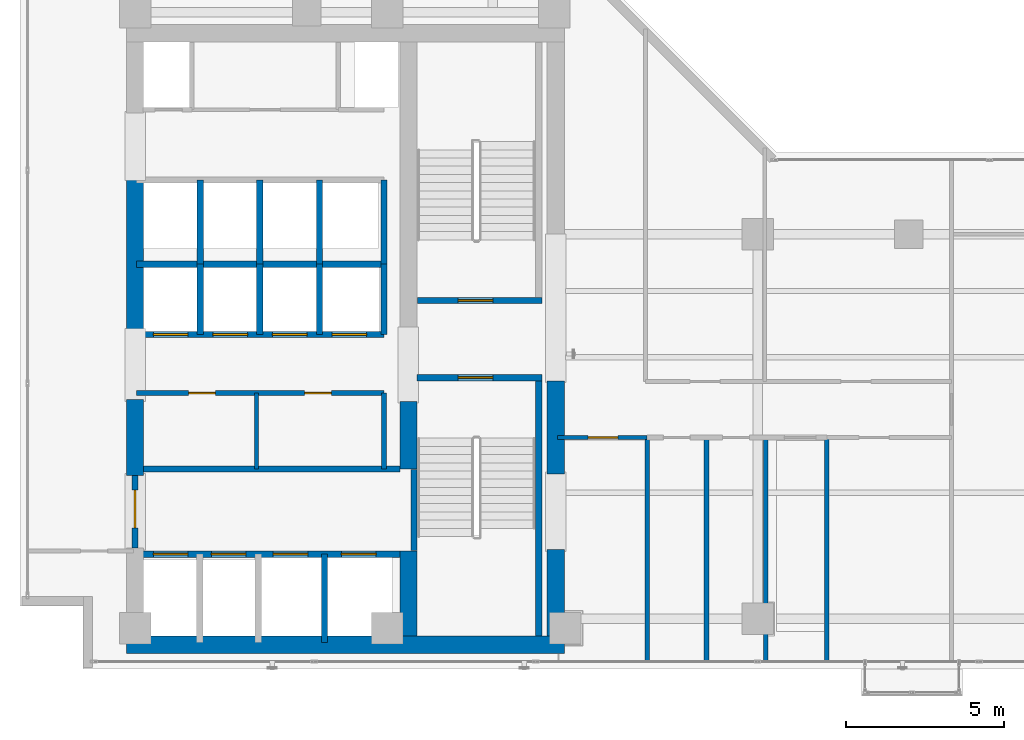
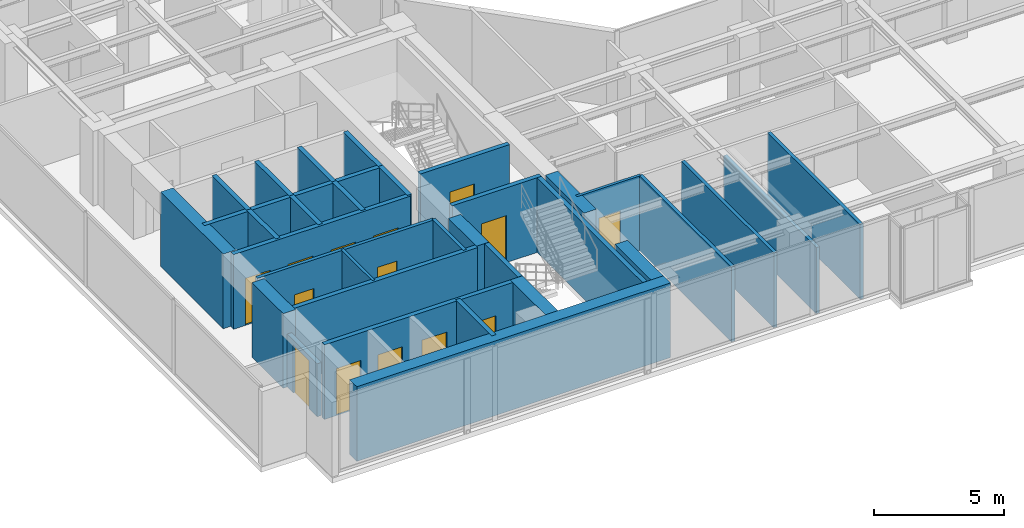
# One storey, part 17 of 22: 33 walls, 14 doors, 14 openings.
"""IFC4 building model written with IfcOpenShell, lengths in metres."""

import ifcopenshell
import ifcopenshell.guid

model = None  # the IFC model being written
_history = None  # IfcOwnerHistory: only IFC2X3 demands one
_inside = {}  # id of a spatial element -> (the spatial element, [elements in it])
_under = {}  # id of a project, library or spatial element -> (it, [spatial elements below it])
_declared = {}  # id of a project -> (the project, [libraries it declares])
_typed = {}  # id of a type object -> (the type object, [elements of that type])
_made_of = {}  # id of a material, layer set ... -> (it, [elements and type objects made of it])


def new_model(schema):
    """Start an empty IFC model of exactly this schema.

    Asked for "IFC4X3", IfcOpenShell would pick the latest addendum, in which some entities
    have other attributes; the version numbers below select the first issue.
    IFC2X3 requires an IfcOwnerHistory on every rooted entity: one is made here for all.
    """
    global model, _history
    if schema == "IFC4X3":
        model = ifcopenshell.file(schema_version=(4, 3, 0, 0))
    else:
        model = ifcopenshell.file(schema=schema)
    _inside.clear()
    _under.clear()
    _declared.clear()
    _typed.clear()
    _made_of.clear()
    _history = None
    if model.schema == "IFC2X3":
        org = make("IfcOrganization", Name="unknown")
        user = make(
            "IfcPersonAndOrganization",
            ThePerson=make("IfcPerson", FamilyName="unknown"),
            TheOrganization=org,
        )
        app = make(
            "IfcApplication",
            ApplicationDeveloper=org,
            Version="unknown",
            ApplicationFullName="unknown",
            ApplicationIdentifier="unknown",
        )
        _history = make(
            "IfcOwnerHistory",
            OwningUser=user,
            OwningApplication=app,
            ChangeAction="ADDED",
            CreationDate=0,
        )
    return model


def make(cls, **values):
    """One entity of the class cls with the attributes given. An attribute that is None is left unset."""
    return model.create_entity(
        cls, **{name: value for name, value in values.items() if value is not None}
    )


def rooted(cls, **values):
    """An entity with a GlobalId (a new one), such as an element, a storey or a relation."""
    return make(cls, GlobalId=ifcopenshell.guid.new(), OwnerHistory=_history, **values)


def si_unit(unit_type, name, prefix=None):
    """IfcSIUnit, for example si_unit("LENGTHUNIT", "METRE", prefix="MILLI")."""
    return make("IfcSIUnit", UnitType=unit_type, Prefix=prefix, Name=name)


def assignment(units):
    """IfcUnitAssignment: the units of a project."""
    return None if units is None else make("IfcUnitAssignment", Units=units)


def point(xyz):
    """IfcCartesianPoint."""
    return None if xyz is None else make("IfcCartesianPoint", Coordinates=xyz)


def direction(xyz):
    """IfcDirection."""
    return None if xyz is None else make("IfcDirection", DirectionRatios=xyz)


def frame(location, z_axis=None, x_axis=None):
    """IfcAxis2Placement3D, a coordinate frame: its origin and axes. An axis left out is left unset."""
    return make(
        "IfcAxis2Placement3D",
        Location=point(location),
        Axis=direction(z_axis),
        RefDirection=direction(x_axis),
    )


def frame_2d(location, x_axis=None):
    """IfcAxis2Placement2D, a coordinate frame in the plane: its origin and x axis."""
    return make(
        "IfcAxis2Placement2D", Location=point(location), RefDirection=direction(x_axis)
    )


def origin():
    """The frame at (0, 0, 0) with its axes left unset."""
    return frame((0.0, 0.0, 0.0))


def place(relative_to, where):
    """IfcLocalPlacement: puts the frame where relative to a parent placement (None: the world)."""
    return make(
        "IfcLocalPlacement", PlacementRelTo=relative_to, RelativePlacement=where
    )


def context(
    kind, dimensions, precision=None, world=None, true_north=None, identifier=None
):
    """IfcGeometricRepresentationContext, for example the 3D "Model" context."""
    return make(
        "IfcGeometricRepresentationContext",
        ContextIdentifier=identifier,
        ContextType=kind,
        CoordinateSpaceDimension=dimensions,
        Precision=precision,
        WorldCoordinateSystem=world,
        TrueNorth=true_north,
    )


def subcontext(parent, identifier, kind, view, scale=None):
    """IfcGeometricRepresentationSubContext, for example "Body" below "Model"."""
    return make(
        "IfcGeometricRepresentationSubContext",
        ContextIdentifier=identifier,
        ContextType=kind,
        ParentContext=parent,
        TargetScale=scale,
        TargetView=view,
    )


def project(units=None, contexts=None):
    """IfcProject with its units and contexts."""
    return rooted(
        "IfcProject",
        Name="project",
        RepresentationContexts=contexts,
        UnitsInContext=assignment(units),
    )


def spatial(cls, under=None, at=None, **own):
    """A site, building, storey or space (cls), placed at a placement, below another one or the project."""
    s = rooted(cls, ObjectPlacement=at, **own)
    if under is not None:
        _under.setdefault(under.id(), (under, []))[1].append(s)
    return s


def profile(cls, at=None, kind="AREA", **sizes):
    """A parametric profile (cls). Its sizes go by their IFC names, for example OverallWidth=200.0."""
    return make(cls, ProfileType=kind, Position=at, **sizes)


def rectangle(**sizes):
    """IfcRectangleProfileDef."""
    return profile("IfcRectangleProfileDef", **sizes)


def extrude(swept, where, along, depth):
    """IfcExtrudedAreaSolid: the profile swept, set in the frame where, extruded along a direction by depth."""
    return make(
        "IfcExtrudedAreaSolid",
        SweptArea=swept,
        Position=where,
        ExtrudedDirection=direction(along),
        Depth=depth,
    )


def shape(context_of_items, identifier, shape_type, items):
    """IfcShapeRepresentation: the items that make up one representation, for example the "Body"."""
    return make(
        "IfcShapeRepresentation",
        ContextOfItems=context_of_items,
        RepresentationIdentifier=identifier,
        RepresentationType=shape_type,
        Items=items,
    )


def material(Name=None, Category=None):
    """IfcMaterial."""
    return make("IfcMaterial", Name=Name, Category=Category)


def layer(
    of_material, thickness, ventilated=None, Name=None, Category=None, Priority=None
):
    """IfcMaterialLayer: one layer of a wall or slab, of a material (None: an air gap)."""
    return make(
        "IfcMaterialLayer",
        Material=of_material,
        LayerThickness=thickness,
        IsVentilated=ventilated,
        Name=Name,
        Category=Category,
        Priority=Priority,
    )


def layer_set(layers, Name=None):
    """IfcMaterialLayerSet."""
    return make("IfcMaterialLayerSet", MaterialLayers=layers, LayerSetName=Name)


def made_of(thing, what):
    """Note that an element or type object is made of a material, layer set ...; save() writes the relation."""
    if what is not None:
        _made_of.setdefault(what.id(), (what, []))[1].append(thing)
    return thing


def type_object(cls, material=None, **own):
    """A type object (cls), such as IfcWallType, which elements share."""
    return made_of(rooted(cls, **own), material)


def element(
    cls,
    number,
    at=None,
    inside=None,
    cuts=None,
    type_object=None,
    material=None,
    context=None,
    identifier="Body",
    shape_type=None,
    held_by="IfcProductDefinitionShape",
    body=None,
    shapes=None,
    **own,
):
    """One element of the class cls, such as IfcWall. Its Tag is "e" and its number.

    at: its placement. inside: the storey or other place that contains it. cuts: it is an
    opening in that element (IfcRelVoidsElement). A single representation is given by context,
    identifier, shape_type and body (its items); several are given by shapes. held_by: the class
    of the entity that holds the representations. save() writes the other relations.
    """
    e = rooted(cls, Tag="e%d" % number, ObjectPlacement=at, **own)
    if body is not None:
        shapes = [shape(context, identifier, shape_type, body)]
    if shapes is not None:
        e.Representation = make(held_by, Representations=shapes)
    if inside is not None:
        _inside.setdefault(inside.id(), (inside, []))[1].append(e)
    if cuts is not None:
        rooted(
            "IfcRelVoidsElement", RelatingBuildingElement=cuts, RelatedOpeningElement=e
        )
    if type_object is not None:
        _typed.setdefault(type_object.id(), (type_object, []))[1].append(e)
    return made_of(e, material)


def fill(opening, filler):
    """IfcRelFillsElement: the door or window that sits in an opening."""
    return rooted(
        "IfcRelFillsElement",
        RelatingOpeningElement=opening,
        RelatedBuildingElement=filler,
    )


def aggregate(whole, parts):
    """IfcRelAggregates: a whole, such as a stair, and the parts it consists of."""
    return rooted("IfcRelAggregates", RelatingObject=whole, RelatedObjects=parts)


def save(model, path):
    """Write the relations noted so far, then the file.

    IfcRelAggregates (storeys below a building ...), IfcRelContainedInSpatialStructure (elements
    in a storey), IfcRelDefinesByType, IfcRelAssociatesMaterial and IfcRelDeclares: one each for
    every whole, place, type object, material and project.
    """
    for whole, parts in _under.values():
        aggregate(whole, parts)
    for where, things in _inside.values():
        rooted(
            "IfcRelContainedInSpatialStructure",
            RelatedElements=things,
            RelatingStructure=where,
        )
    for kind, things in _typed.values():
        rooted("IfcRelDefinesByType", RelatedObjects=things, RelatingType=kind)
    for what, things in _made_of.values():
        rooted("IfcRelAssociatesMaterial", RelatedObjects=things, RelatingMaterial=what)
    for by, libraries in _declared.values():
        rooted("IfcRelDeclares", RelatingContext=by, RelatedDefinitions=libraries)
    model.write(path)


model = new_model("IFC4")

# Units and contexts
model_context = context("Model", 3, precision=1e-05, world=origin(), true_north=direction((0.0, 1.0)))
body_context = subcontext(model_context, "Body", "Model", "MODEL_VIEW")
ifc_project = project(units=[si_unit("LENGTHUNIT", "METRE"), si_unit("AREAUNIT", "SQUARE_METRE"), si_unit("VOLUMEUNIT", "CUBIC_METRE"), si_unit("PLANEANGLEUNIT", "RADIAN"), si_unit("MASSUNIT", "GRAM", prefix="KILO")], contexts=[model_context])

# Site, building, storey
site_placement = place(None, origin())
site = spatial("IfcSite", under=ifc_project, at=site_placement, CompositionType="ELEMENT")
building_placement = place(site_placement, origin())
building = spatial("IfcBuilding", under=site, at=building_placement, Name="Kolvaren Waterfront Exchange", CompositionType="ELEMENT")
storey_placement = place(building_placement, frame((0.0, 0.0, 219.699951171875)))
storey = spatial("IfcBuildingStorey", under=building, at=storey_placement, Name="L56", CompositionType="ELEMENT", Elevation=219.699951171875)

# Wall, opening, door
ifc_material_1 = material(Name="Precast concrete C40/50", Category="concrete")
ifc_layer_1 = layer(ifc_material_1, 0.199951171875, Name="Precast concrete C40/50")
ifc_layer_set_1 = layer_set([ifc_layer_1], Name="Precast concrete C40/50")
wall_type_1 = type_object("IfcWallType", Name="ARC-FIRE-200", PredefinedType="PARTITIONING", material=ifc_layer_set_1)
wall_1_placement = place(storey_placement, frame((16.39990234375, 12.85009765625, 0.0), z_axis=(0.0, 0.0, 1.0), x_axis=(1.0, 0.0, 0.0)))
wall_1 = element("IfcWall", 1, at=wall_1_placement, inside=storey, type_object=wall_type_1, Name="L56 interior wall PW-L56-ST1-THROAT-S", PredefinedType="PARTITIONING", context=body_context, shape_type="SweptSolid", body=[
    extrude(rectangle(XDim=3.960205078125, YDim=0.199951171875, at=frame_2d((1.97998046875, 0.0))), origin(), (0.0, 0.0, 1.0), 3.5),
])
opening_1_placement = place(wall_1_placement, frame((1.3037109375, 0.0, 0.0)))
opening_1 = element("IfcOpeningElement", 2, at=opening_1_placement, cuts=wall_1, Name="Opening FD2", PredefinedType="OPENING", context=body_context, shape_type="SweptSolid", body=[
    extrude(rectangle(XDim=1.10009765625, YDim=2.199951171875, at=frame_2d((0.550048828125, 1.10009765625))), frame((0.0, 0.10986328125, 0.0), z_axis=(0.0, -1.0, 0.0), x_axis=(1.0, 0.0, 0.0)), (0.0, 0.0, 1.0), 0.219970703125),
])
ifc_material_2 = material(Name="Pressed steel smoke-seal fire door", Category="steel")
door_type_1 = type_object("IfcDoorType", Name="ARC-FD-1100", OperationType="NOTDEFINED", PredefinedType="DOOR", material=ifc_material_2)
door_1_placement = place(opening_1_placement, frame((1.10009765625, 0.0, 0.0), z_axis=(0.0, 0.0, 1.0), x_axis=(-1.0, 0.0, 0.0)))
door_1 = element("IfcDoor", 3, at=door_1_placement, inside=storey, type_object=door_type_1, Name="L56 door DR-L56-ST1-IN (FD2)", OperationType="SINGLE_SWING_LEFT", OverallHeight=2.199951171875, OverallWidth=1.10009765625, PredefinedType="DOOR", context=body_context, shape_type="SweptSolid", body=[
    extrude(rectangle(XDim=1.10009765625, YDim=2.199951171875, at=frame_2d((0.550048828125, 1.10009765625))), frame((0.0, 0.02490234375, 0.0), z_axis=(0.0, -1.0, 0.0), x_axis=(1.0, 0.0, 0.0)), (0.0, 0.0, 1.0), 0.050048828125),
])
fill(opening_1, door_1)

wall_2_placement = place(storey_placement, frame((16.409912109375, 15.300048828125, 0.0), z_axis=(0.0, 0.0, 1.0), x_axis=(1.0, 0.0, 0.0)))
wall_2 = element("IfcWall", 4, at=wall_2_placement, inside=storey, type_object=wall_type_1, Name="L56 interior wall PW-L56-ST2-THROAT-N", PredefinedType="PARTITIONING", context=body_context, shape_type="SweptSolid", body=[
    extrude(rectangle(XDim=3.9501953125, YDim=0.199951171875, at=frame_2d((1.97509765625, 0.0))), origin(), (0.0, 0.0, 1.0), 3.5),
])
opening_2_placement = place(wall_2_placement, frame((1.293701171875, 0.0, 0.0)))
opening_2 = element("IfcOpeningElement", 5, at=opening_2_placement, cuts=wall_2, Name="Opening FD2", PredefinedType="OPENING", context=body_context, shape_type="SweptSolid", body=[
    extrude(rectangle(XDim=1.10009765625, YDim=2.199951171875, at=frame_2d((0.550048828125, 1.10009765625))), frame((0.0, 0.10986328125, 0.0), z_axis=(0.0, -1.0, 0.0), x_axis=(1.0, 0.0, 0.0)), (0.0, 0.0, 1.0), 0.219970703125),
])
door_2_placement = place(opening_2_placement, origin())
door_2 = element("IfcDoor", 6, at=door_2_placement, inside=storey, type_object=door_type_1, Name="L56 door DR-L56-ST2-IN (FD2)", OperationType="SINGLE_SWING_RIGHT", OverallHeight=2.199951171875, OverallWidth=1.10009765625, PredefinedType="DOOR", context=body_context, shape_type="SweptSolid", body=[
    extrude(rectangle(XDim=1.10009765625, YDim=2.199951171875, at=frame_2d((0.550048828125, 1.10009765625))), frame((0.0, 0.02490234375, 0.0), z_axis=(0.0, -1.0, 0.0), x_axis=(1.0, 0.0, 0.0)), (0.0, 0.0, 1.0), 0.050048828125),
])
fill(opening_2, door_2)

# Wall
wall_3_placement = place(storey_placement, frame((7.5, 9.949951171875, 0.0), z_axis=(0.0, 0.0, 1.0), x_axis=(1.0, 0.0, 0.0)))
element("IfcWall", 7, at=wall_3_placement, inside=storey, type_object=wall_type_1, Name="L56 interior wall PW-L56-FF-N", PredefinedType="PARTITIONING", context=body_context, shape_type="SweptSolid", body=[
    extrude(rectangle(XDim=8.35009765625, YDim=0.199951171875, at=frame_2d((4.175048828125, 0.0))), origin(), (0.0, 0.0, 1.0), 3.5),
])

# Wall, opening, door
wall_4_placement = place(storey_placement, frame((7.449951171875, 7.449951171875, 0.0), z_axis=(0.0, 0.0, 1.0), x_axis=(0.0, 1.0, 0.0)))
wall_4 = element("IfcWall", 8, at=wall_4_placement, inside=storey, type_object=wall_type_1, Name="L56 interior wall PW-L56-FF-W-DOOR", PredefinedType="PARTITIONING", context=body_context, shape_type="SweptSolid", body=[
    extrude(rectangle(XDim=2.300048828125, YDim=0.199951171875, at=frame_2d((1.14990234375, 0.0))), origin(), (0.0, 0.0, 1.0), 2.47998046875),
])
opening_3_placement = place(wall_4_placement, frame((0.63330078125, 0.0, 0.0)))
opening_3 = element("IfcOpeningElement", 9, at=opening_3_placement, cuts=wall_4, Name="Opening FD3", PredefinedType="OPENING", context=body_context, shape_type="SweptSolid", body=[
    extrude(rectangle(XDim=1.199951171875, YDim=2.25, at=frame_2d((0.60009765625, 1.125))), frame((0.0, 0.10986328125, 0.0), z_axis=(0.0, -1.0, 0.0), x_axis=(1.0, 0.0, 0.0)), (0.0, 0.0, 1.0), 0.219970703125),
])
ifc_material_3 = material(Name="Pressed steel fire door", Category="steel")
door_type_2 = type_object("IfcDoorType", Name="ARC-FD-1200", OperationType="NOTDEFINED", PredefinedType="DOOR", material=ifc_material_3)
door_3_placement = place(opening_3_placement, frame((1.199951171875, 0.0, 0.0), z_axis=(0.0, 0.0, 1.0), x_axis=(-1.0, 0.0, 0.0)))
door_3 = element("IfcDoor", 10, at=door_3_placement, inside=storey, type_object=door_type_2, Name="L56 door DR-L56-FF-OUT (FD3)", OperationType="SINGLE_SWING_LEFT", OverallHeight=2.25, OverallWidth=1.199951171875, PredefinedType="DOOR", context=body_context, shape_type="SweptSolid", body=[
    extrude(rectangle(XDim=1.199951171875, YDim=2.25, at=frame_2d((0.60009765625, 1.125))), frame((0.0, 0.02490234375, 0.0), z_axis=(0.0, -1.0, 0.0), x_axis=(1.0, 0.0, 0.0)), (0.0, 0.0, 1.0), 0.050048828125),
])
fill(opening_3, door_3)

# Wall
ifc_material_4 = material(Name="Acoustic gypsum steel stud", Category="steel")
ifc_layer_2 = layer(ifc_material_4, 0.125, Name="Acoustic gypsum steel stud")
ifc_layer_set_2 = layer_set([ifc_layer_2], Name="Acoustic gypsum steel stud")
wall_type_2 = type_object("IfcWallType", Name="ARC-PART-125", PredefinedType="PARTITIONING", material=ifc_layer_set_2)
wall_5_placement = place(storey_placement, frame((11.300048828125, 9.949951171875, 0.0), z_axis=(0.0, 0.0, 1.0), x_axis=(0.0, 1.0, 0.0)))
element("IfcWall", 11, at=wall_5_placement, inside=storey, type_object=wall_type_2, Name="L56 interior wall PW-L56-REC-PL-MID", PredefinedType="PARTITIONING", context=body_context, shape_type="SweptSolid", body=[
    extrude(rectangle(XDim=2.41015625, YDim=0.125, at=frame_2d((1.205078125, 0.0))), origin(), (0.0, 0.0, 1.0), 3.5),
])

# Wall, opening, door
wall_6_placement = place(storey_placement, frame((20.85009765625, 10.949951171875, 0.0), z_axis=(0.0, 0.0, 1.0), x_axis=(1.0, 0.0, 0.0)))
wall_6 = element("IfcWall", 12, at=wall_6_placement, inside=storey, type_object=wall_type_2, Name="L56 interior wall PW-L56-SWST3-N", PredefinedType="PARTITIONING", context=body_context, shape_type="SweptSolid", body=[
    extrude(rectangle(XDim=2.849853515625, YDim=0.125, at=frame_2d((1.4248046875, 0.0))), origin(), (0.0, 0.0, 1.0), 3.5),
])
opening_4_placement = place(wall_6_placement, frame((0.971435546875, 0.0, 0.0)))
opening_4 = element("IfcOpeningElement", 13, at=opening_4_placement, cuts=wall_6, Name="Opening D02", PredefinedType="OPENING", context=body_context, shape_type="SweptSolid", body=[
    extrude(rectangle(XDim=0.949951171875, YDim=2.14990234375, at=frame_2d((0.47509765625, 1.074951171875))), frame((0.0, 0.072509765625, 0.0), z_axis=(0.0, -1.0, 0.0), x_axis=(1.0, 0.0, 0.0)), (0.0, 0.0, 1.0), 0.14501953125),
])
ifc_material_5 = material(Name="Oak veneer acoustic timber", Category="wood")
door_type_3 = type_object("IfcDoorType", Name="ARC-DR-950", OperationType="NOTDEFINED", PredefinedType="DOOR", material=ifc_material_5)
door_4_placement = place(opening_4_placement, origin())
door_4 = element("IfcDoor", 14, at=door_4_placement, inside=storey, type_object=door_type_3, Name="L56 door DR-L56-SWST3-D (D02)", OperationType="SINGLE_SWING_LEFT", OverallHeight=2.14990234375, OverallWidth=0.949951171875, PredefinedType="DOOR", context=body_context, shape_type="SweptSolid", body=[
    extrude(rectangle(XDim=0.949951171875, YDim=2.14990234375, at=frame_2d((0.47509765625, 1.074951171875))), frame((0.0, 0.02490234375, 0.0), z_axis=(0.0, -1.0, 0.0), x_axis=(1.0, 0.0, 0.0)), (0.0, 0.0, 1.0), 0.050048828125),
])
fill(opening_4, door_4)

# Wall, openings, doors
ifc_material_6 = material(Name="Gypsum fireboard steel stud", Category="steel")
ifc_layer_3 = layer(ifc_material_6, 0.14990234375, Name="Gypsum fireboard steel stud")
ifc_layer_set_3 = layer_set([ifc_layer_3], Name="Gypsum fireboard steel stud")
wall_type_3 = type_object("IfcWallType", Name="ARC-PART-150", PredefinedType="PARTITIONING", material=ifc_layer_set_3)
wall_7_placement = place(storey_placement, frame((7.5, 12.360107421875, 0.0), z_axis=(0.0, 0.0, 1.0), x_axis=(1.0, 0.0, 0.0)))
wall_7 = element("IfcWall", 15, at=wall_7_placement, inside=storey, type_object=wall_type_3, Name="L56 interior wall PW-L56-REC-PL-N", PredefinedType="PARTITIONING", context=body_context, shape_type="SweptSolid", body=[
    extrude(rectangle(XDim=7.85009765625, YDim=0.14990234375, at=frame_2d((3.925048828125, 0.0))), origin(), (0.0, 0.0, 1.0), 3.5),
])
opening_5_placement = place(wall_7_placement, frame((1.64990234375, 0.0, 0.0)))
opening_5 = element("IfcOpeningElement", 16, at=opening_5_placement, cuts=wall_7, Name="Opening D01", PredefinedType="OPENING", context=body_context, shape_type="SweptSolid", body=[
    extrude(rectangle(XDim=0.85009765625, YDim=2.14990234375, at=frame_2d((0.425048828125, 1.074951171875))), frame((0.0, 0.0849609375, 0.0), z_axis=(0.0, -1.0, 0.0), x_axis=(1.0, 0.0, 0.0)), (0.0, 0.0, 1.0), 0.169921875),
])
opening_6_placement = place(wall_7_placement, frame((5.329345703125, 0.0, 0.0)))
opening_6 = element("IfcOpeningElement", 17, at=opening_6_placement, cuts=wall_7, Name="Opening D01", PredefinedType="OPENING", context=body_context, shape_type="SweptSolid", body=[
    extrude(rectangle(XDim=0.85009765625, YDim=2.14990234375, at=frame_2d((0.425048828125, 1.074951171875))), frame((0.0, 0.0849609375, 0.0), z_axis=(0.0, -1.0, 0.0), x_axis=(1.0, 0.0, 0.0)), (0.0, 0.0, 1.0), 0.169921875),
])
ifc_material_7 = material(Name="Oak veneer timber leaf", Category="wood")
door_type_4 = type_object("IfcDoorType", Name="ARC-DR-900", OperationType="NOTDEFINED", PredefinedType="DOOR", material=ifc_material_7)
door_5_placement = place(opening_5_placement, origin())
door_5 = element("IfcDoor", 18, at=door_5_placement, inside=storey, type_object=door_type_4, Name="L56 door DR-L56-REC-PL-D1 (D01)", OperationType="SINGLE_SWING_RIGHT", OverallHeight=2.14990234375, OverallWidth=0.85009765625, PredefinedType="DOOR", context=body_context, shape_type="SweptSolid", body=[
    extrude(rectangle(XDim=0.85009765625, YDim=2.14990234375, at=frame_2d((0.425048828125, 1.074951171875))), frame((0.0, 0.02490234375, 0.0), z_axis=(0.0, -1.0, 0.0), x_axis=(1.0, 0.0, 0.0)), (0.0, 0.0, 1.0), 0.050048828125),
])
fill(opening_5, door_5)
door_6_placement = place(opening_6_placement, origin())
door_6 = element("IfcDoor", 19, at=door_6_placement, inside=storey, type_object=door_type_4, Name="L56 door DR-L56-REC-PL-D2 (D01)", OperationType="SINGLE_SWING_LEFT", OverallHeight=2.14990234375, OverallWidth=0.85009765625, PredefinedType="DOOR", context=body_context, shape_type="SweptSolid", body=[
    extrude(rectangle(XDim=0.85009765625, YDim=2.14990234375, at=frame_2d((0.425048828125, 1.074951171875))), frame((0.0, 0.02490234375, 0.0), z_axis=(0.0, -1.0, 0.0), x_axis=(1.0, 0.0, 0.0)), (0.0, 0.0, 1.0), 0.050048828125),
])
fill(opening_6, door_6)

# Walls
wall_8_placement = place(storey_placement, frame((15.35009765625, 9.949951171875, 0.0), z_axis=(0.0, 0.0, 1.0), x_axis=(0.0, 1.0, 0.0)))
element("IfcWall", 20, at=wall_8_placement, inside=storey, type_object=wall_type_3, Name="L56 interior wall PW-L56-REC-PL-E", PredefinedType="PARTITIONING", context=body_context, shape_type="SweptSolid", body=[
    extrude(rectangle(XDim=2.41015625, YDim=0.14990234375, at=frame_2d((1.205078125, 0.0))), origin(), (0.0, 0.0, 1.0), 3.5),
])
ifc_material_8 = material(Name="Moisture-resistant gypsum stud")
ifc_layer_4 = layer(ifc_material_8, 0.14990234375, Name="Moisture-resistant gypsum stud")
ifc_layer_set_4 = layer_set([ifc_layer_4], Name="Moisture-resistant gypsum stud")
wall_type_4 = type_object("IfcWallType", Name="ARC-PLUMB-150", PredefinedType="PLUMBINGWALL", material=ifc_layer_set_4)
for number, where, z_axis, x_axis, name in (
    (21, (23.699951171875, 3.840087890625, 0.0), (0.0, 0.0, 1.0), (0.0, 1.0, 0.0), "L56 interior wall PW-L56-WC-0"),
    (22, (25.580078125, 3.840087890625, 0.0), (0.0, 0.0, 1.0), (0.0, 1.0, 0.0), "L56 interior wall PW-L56-WC-1"),
):
    element("IfcWall", number, at=place(storey_placement, frame(where, z_axis=z_axis, x_axis=x_axis)), inside=storey, type_object=wall_type_4, Name=name, PredefinedType="PLUMBINGWALL", context=body_context, shape_type="SweptSolid", body=[
        extrude(rectangle(XDim=7.10986328125, YDim=0.14990234375, at=frame_2d((3.554931640625, 0.0))), origin(), (0.0, 0.0, 1.0), 3.5),
    ])
wall_9_placement = place(storey_placement, frame((27.4599609375, 3.840087890625, 0.0), z_axis=(0.0, 0.0, 1.0), x_axis=(0.0, 1.0, 0.0)))
element("IfcWall", 23, at=wall_9_placement, inside=storey, type_object=wall_type_4, Name="L56 interior wall PW-L56-WC-2", PredefinedType="PLUMBINGWALL", context=body_context, shape_type="SweptSolid", body=[
    extrude(rectangle(XDim=7.10986328125, YDim=0.14990234375, at=frame_2d((3.554931640625, 0.0))), origin(), (0.0, 0.0, 1.0), 3.10009765625),
])
wall_10_placement = place(storey_placement, frame((29.39990234375, 3.840087890625, 0.0), z_axis=(0.0, 0.0, 1.0), x_axis=(0.0, 1.0, 0.0)))
element("IfcWall", 24, at=wall_10_placement, inside=storey, type_object=wall_type_4, Name="L56 interior wall PW-L56-WC-3", PredefinedType="PLUMBINGWALL", context=body_context, shape_type="SweptSolid", body=[
    extrude(rectangle(XDim=7.10986328125, YDim=0.14990234375, at=frame_2d((3.554931640625, 0.0))), origin(), (0.0, 0.0, 1.0), 3.5),
])
ifc_material_9 = material(Name="Concrete C40/50", Category="concrete")
ifc_layer_5 = layer(ifc_material_9, 0.199951171875, Name="Concrete C40/50")
ifc_layer_set_5 = layer_set([ifc_layer_5], Name="Concrete C40/50")
wall_type_5 = type_object("IfcWallType", Name="ARC-SHAFT-200", PredefinedType="PARTITIONING", material=ifc_layer_set_5)
wall_11_placement = place(storey_placement, frame((16.300048828125, 7.360107421875, 0.0), z_axis=(0.0, 0.0, 1.0), x_axis=(0.0, 1.0, 0.0)))
element("IfcWall", 25, at=wall_11_placement, inside=storey, type_object=wall_type_5, Name="L56 structural stairwell wall PW-L56-ST1-W", PredefinedType="SHEAR", context=body_context, shape_type="SweptSolid", body=[
    extrude(rectangle(XDim=2.579833984375, YDim=0.199951171875, at=frame_2d((1.2900390625, 0.0))), origin(), (0.0, 0.0, 1.0), 3.5),
])
wall_12_placement = place(storey_placement, frame((20.260009765625, 4.659912109375, 0.0), z_axis=(0.0, 0.0, 1.0), x_axis=(0.0, 1.0, 0.0)))
element("IfcWall", 26, at=wall_12_placement, inside=storey, type_object=wall_type_5, Name="L56 structural stairwell wall PW-L56-ST1-E", PredefinedType="SHEAR", context=body_context, shape_type="SweptSolid", body=[
    extrude(rectangle(XDim=8.090087890625, YDim=0.199951171875, at=frame_2d((4.044921875, 0.0))), origin(), (0.0, 0.0, 1.0), 3.5),
])

# Wall, openings, doors
wall_13_placement = place(storey_placement, frame((7.5, 7.25, 0.0), z_axis=(0.0, 0.0, 1.0), x_axis=(1.0, 0.0, 0.0)))
wall_13 = element("IfcWall", 27, at=wall_13_placement, inside=storey, type_object=wall_type_5, Name="L56 interior wall PW-L56-FF-S", PredefinedType="PARTITIONING", context=body_context, shape_type="SweptSolid", body=[
    extrude(rectangle(XDim=8.35009765625, YDim=0.199951171875, at=frame_2d((4.175048828125, 0.0))), origin(), (0.0, 0.0, 1.0), 3.5),
])
opening_7_placement = place(wall_13_placement, frame((0.530029296875, 0.0, 0.0)))
opening_7 = element("IfcOpeningElement", 28, at=opening_7_placement, cuts=wall_13, Name="Opening LD1", PredefinedType="OPENING", context=body_context, shape_type="SweptSolid", body=[
    extrude(rectangle(XDim=1.10009765625, YDim=2.199951171875, at=frame_2d((0.550048828125, 1.10009765625))), frame((0.0, 0.10986328125, 0.0), z_axis=(0.0, -1.0, 0.0), x_axis=(1.0, 0.0, 0.0)), (0.0, 0.0, 1.0), 0.219970703125),
])
opening_8_placement = place(wall_13_placement, frame((2.3701171875, 0.0, 0.0)))
opening_8 = element("IfcOpeningElement", 29, at=opening_8_placement, cuts=wall_13, Name="Opening LD1", PredefinedType="OPENING", context=body_context, shape_type="SweptSolid", body=[
    extrude(rectangle(XDim=1.10009765625, YDim=2.199951171875, at=frame_2d((0.550048828125, 1.10009765625))), frame((0.0, 0.10986328125, 0.0), z_axis=(0.0, -1.0, 0.0), x_axis=(1.0, 0.0, 0.0)), (0.0, 0.0, 1.0), 0.219970703125),
])
opening_9_placement = place(wall_13_placement, frame((4.330078125, 0.0, 0.0)))
opening_9 = element("IfcOpeningElement", 30, at=opening_9_placement, cuts=wall_13, Name="Opening LD1", PredefinedType="OPENING", context=body_context, shape_type="SweptSolid", body=[
    extrude(rectangle(XDim=1.10009765625, YDim=2.199951171875, at=frame_2d((0.550048828125, 1.10009765625))), frame((0.0, 0.10986328125, 0.0), z_axis=(0.0, -1.0, 0.0), x_axis=(1.0, 0.0, 0.0)), (0.0, 0.0, 1.0), 0.219970703125),
])
opening_10_placement = place(wall_13_placement, frame((6.5, 0.0, 0.0)))
opening_10 = element("IfcOpeningElement", 31, at=opening_10_placement, cuts=wall_13, Name="Opening LD1", PredefinedType="OPENING", context=body_context, shape_type="SweptSolid", body=[
    extrude(rectangle(XDim=1.10009765625, YDim=2.199951171875, at=frame_2d((0.550048828125, 1.10009765625))), frame((0.0, 0.10986328125, 0.0), z_axis=(0.0, -1.0, 0.0), x_axis=(1.0, 0.0, 0.0)), (0.0, 0.0, 1.0), 0.219970703125),
])
ifc_material_10 = material(Name="Stainless steel sliding landing door", Category="steel")
door_type_5 = type_object("IfcDoorType", Name="ARC-LD-FF", OperationType="SLIDING_TO_LEFT", PredefinedType="DOOR", material=ifc_material_10)
door_7_placement = place(opening_7_placement, origin())
door_7 = element("IfcDoor", 32, at=door_7_placement, inside=storey, type_object=door_type_5, Name="L56 door LD-L56-FFL1 (LD1)", OperationType="SLIDING_TO_LEFT", OverallHeight=2.199951171875, OverallWidth=1.10009765625, PredefinedType="DOOR", context=body_context, shape_type="SweptSolid", body=[
    extrude(rectangle(XDim=1.10009765625, YDim=2.199951171875, at=frame_2d((0.550048828125, 1.10009765625))), frame((0.0, 0.02490234375, 0.0), z_axis=(0.0, -1.0, 0.0), x_axis=(1.0, 0.0, 0.0)), (0.0, 0.0, 1.0), 0.050048828125),
])
fill(opening_7, door_7)
door_8_placement = place(opening_8_placement, origin())
door_8 = element("IfcDoor", 33, at=door_8_placement, inside=storey, type_object=door_type_5, Name="L56 door LD-L56-FFL2 (LD1)", OperationType="SLIDING_TO_LEFT", OverallHeight=2.199951171875, OverallWidth=1.10009765625, PredefinedType="DOOR", context=body_context, shape_type="SweptSolid", body=[
    extrude(rectangle(XDim=1.10009765625, YDim=2.199951171875, at=frame_2d((0.550048828125, 1.10009765625))), frame((0.0, 0.02490234375, 0.0), z_axis=(0.0, -1.0, 0.0), x_axis=(1.0, 0.0, 0.0)), (0.0, 0.0, 1.0), 0.050048828125),
])
fill(opening_8, door_8)
door_9_placement = place(opening_9_placement, origin())
door_9 = element("IfcDoor", 34, at=door_9_placement, inside=storey, type_object=door_type_5, Name="L56 door LD-L56-GL1 (LD1)", OperationType="SLIDING_TO_LEFT", OverallHeight=2.199951171875, OverallWidth=1.10009765625, PredefinedType="DOOR", context=body_context, shape_type="SweptSolid", body=[
    extrude(rectangle(XDim=1.10009765625, YDim=2.199951171875, at=frame_2d((0.550048828125, 1.10009765625))), frame((0.0, 0.02490234375, 0.0), z_axis=(0.0, -1.0, 0.0), x_axis=(1.0, 0.0, 0.0)), (0.0, 0.0, 1.0), 0.050048828125),
])
fill(opening_9, door_9)
door_10_placement = place(opening_10_placement, origin())
door_10 = element("IfcDoor", 35, at=door_10_placement, inside=storey, type_object=door_type_5, Name="L56 door LD-L56-GL2 (LD1)", OperationType="SLIDING_TO_LEFT", OverallHeight=2.199951171875, OverallWidth=1.10009765625, PredefinedType="DOOR", context=body_context, shape_type="SweptSolid", body=[
    extrude(rectangle(XDim=1.10009765625, YDim=2.199951171875, at=frame_2d((0.550048828125, 1.10009765625))), frame((0.0, 0.02490234375, 0.0), z_axis=(0.0, -1.0, 0.0), x_axis=(1.0, 0.0, 0.0)), (0.0, 0.0, 1.0), 0.050048828125),
])
fill(opening_10, door_10)

# Wall
wall_14_placement = place(storey_placement, frame((13.4599609375, 4.449951171875, 0.0), z_axis=(0.0, 0.0, 1.0), x_axis=(0.0, 1.0, 0.0)))
element("IfcWall", 36, at=wall_14_placement, inside=storey, type_object=wall_type_5, Name="L56 interior wall PW-L56-SH1-DIV-134", PredefinedType="PARTITIONING", context=body_context, shape_type="SweptSolid", body=[
    extrude(rectangle(XDim=2.800048828125, YDim=0.199951171875, at=frame_2d((1.39990234375, 0.0))), origin(), (0.0, 0.0, 1.0), 3.5),
])

# Wall, openings, doors
wall_15_placement = place(storey_placement, frame((7.5, 14.219970703125, 0.0), z_axis=(0.0, 0.0, 1.0), x_axis=(1.0, 0.0, 0.0)))
wall_15 = element("IfcWall", 37, at=wall_15_placement, inside=storey, type_object=wall_type_5, Name="L56 interior wall PW-L56-PM-S", PredefinedType="PARTITIONING", context=body_context, shape_type="SweptSolid", body=[
    extrude(rectangle(XDim=7.85009765625, YDim=0.199951171875, at=frame_2d((3.925048828125, 0.0))), origin(), (0.0, 0.0, 1.0), 3.5),
])
opening_11_placement = place(wall_15_placement, frame((0.530029296875, 0.0, 0.0)))
opening_11 = element("IfcOpeningElement", 38, at=opening_11_placement, cuts=wall_15, Name="Opening LD2", PredefinedType="OPENING", context=body_context, shape_type="SweptSolid", body=[
    extrude(rectangle(XDim=1.10009765625, YDim=2.199951171875, at=frame_2d((0.550048828125, 1.10009765625))), frame((0.0, 0.10986328125, 0.0), z_axis=(0.0, -1.0, 0.0), x_axis=(1.0, 0.0, 0.0)), (0.0, 0.0, 1.0), 0.219970703125),
])
opening_12_placement = place(wall_15_placement, frame((2.419921875, 0.0, 0.0)))
opening_12 = element("IfcOpeningElement", 39, at=opening_12_placement, cuts=wall_15, Name="Opening LD2", PredefinedType="OPENING", context=body_context, shape_type="SweptSolid", body=[
    extrude(rectangle(XDim=1.10009765625, YDim=2.199951171875, at=frame_2d((0.550048828125, 1.10009765625))), frame((0.0, 0.10986328125, 0.0), z_axis=(0.0, -1.0, 0.0), x_axis=(1.0, 0.0, 0.0)), (0.0, 0.0, 1.0), 0.219970703125),
])
opening_13_placement = place(wall_15_placement, frame((4.31005859375, 0.0, 0.0)))
opening_13 = element("IfcOpeningElement", 40, at=opening_13_placement, cuts=wall_15, Name="Opening LD2", PredefinedType="OPENING", context=body_context, shape_type="SweptSolid", body=[
    extrude(rectangle(XDim=1.10009765625, YDim=2.199951171875, at=frame_2d((0.550048828125, 1.10009765625))), frame((0.0, 0.10986328125, 0.0), z_axis=(0.0, -1.0, 0.0), x_axis=(1.0, 0.0, 0.0)), (0.0, 0.0, 1.0), 0.219970703125),
])
opening_14_placement = place(wall_15_placement, frame((6.199951171875, 0.0, 0.0)))
opening_14 = element("IfcOpeningElement", 41, at=opening_14_placement, cuts=wall_15, Name="Opening LD2", PredefinedType="OPENING", context=body_context, shape_type="SweptSolid", body=[
    extrude(rectangle(XDim=1.10009765625, YDim=2.199951171875, at=frame_2d((0.550048828125, 1.10009765625))), frame((0.0, 0.10986328125, 0.0), z_axis=(0.0, -1.0, 0.0), x_axis=(1.0, 0.0, 0.0)), (0.0, 0.0, 1.0), 0.219970703125),
])
ifc_material_11 = material(Name="Brushed bronze sliding landing door", Category="aluminium")
door_type_6 = type_object("IfcDoorType", Name="ARC-LD-PAX", OperationType="SLIDING_TO_LEFT", PredefinedType="DOOR", material=ifc_material_11)
door_11_placement = place(opening_11_placement, frame((1.10009765625, 0.0, 0.0), z_axis=(0.0, 0.0, 1.0), x_axis=(-1.0, 0.0, 0.0)))
door_11 = element("IfcDoor", 42, at=door_11_placement, inside=storey, type_object=door_type_6, Name="L56 door LD-L56-PM1 (LD2)", OperationType="SLIDING_TO_LEFT", OverallHeight=2.199951171875, OverallWidth=1.10009765625, PredefinedType="DOOR", context=body_context, shape_type="SweptSolid", body=[
    extrude(rectangle(XDim=1.10009765625, YDim=2.199951171875, at=frame_2d((0.550048828125, 1.10009765625))), frame((0.0, 0.02490234375, 0.0), z_axis=(0.0, -1.0, 0.0), x_axis=(1.0, 0.0, 0.0)), (0.0, 0.0, 1.0), 0.050048828125),
])
fill(opening_11, door_11)
door_12_placement = place(opening_12_placement, frame((1.10009765625, 0.0, 0.0), z_axis=(0.0, 0.0, 1.0), x_axis=(-1.0, 0.0, 0.0)))
door_12 = element("IfcDoor", 43, at=door_12_placement, inside=storey, type_object=door_type_6, Name="L56 door LD-L56-PM2 (LD2)", OperationType="SLIDING_TO_LEFT", OverallHeight=2.199951171875, OverallWidth=1.10009765625, PredefinedType="DOOR", context=body_context, shape_type="SweptSolid", body=[
    extrude(rectangle(XDim=1.10009765625, YDim=2.199951171875, at=frame_2d((0.550048828125, 1.10009765625))), frame((0.0, 0.02490234375, 0.0), z_axis=(0.0, -1.0, 0.0), x_axis=(1.0, 0.0, 0.0)), (0.0, 0.0, 1.0), 0.050048828125),
])
fill(opening_12, door_12)
door_13_placement = place(opening_13_placement, frame((1.10009765625, 0.0, 0.0), z_axis=(0.0, 0.0, 1.0), x_axis=(-1.0, 0.0, 0.0)))
door_13 = element("IfcDoor", 44, at=door_13_placement, inside=storey, type_object=door_type_6, Name="L56 door LD-L56-PM3 (LD2)", OperationType="SLIDING_TO_LEFT", OverallHeight=2.199951171875, OverallWidth=1.10009765625, PredefinedType="DOOR", context=body_context, shape_type="SweptSolid", body=[
    extrude(rectangle(XDim=1.10009765625, YDim=2.199951171875, at=frame_2d((0.550048828125, 1.10009765625))), frame((0.0, 0.02490234375, 0.0), z_axis=(0.0, -1.0, 0.0), x_axis=(1.0, 0.0, 0.0)), (0.0, 0.0, 1.0), 0.050048828125),
])
fill(opening_13, door_13)
door_14_placement = place(opening_14_placement, frame((1.10009765625, 0.0, 0.0), z_axis=(0.0, 0.0, 1.0), x_axis=(-1.0, 0.0, 0.0)))
door_14 = element("IfcDoor", 45, at=door_14_placement, inside=storey, type_object=door_type_6, Name="L56 door LD-L56-PM4 (LD2)", OperationType="SLIDING_TO_LEFT", OverallHeight=2.199951171875, OverallWidth=1.10009765625, PredefinedType="DOOR", context=body_context, shape_type="SweptSolid", body=[
    extrude(rectangle(XDim=1.10009765625, YDim=2.199951171875, at=frame_2d((0.550048828125, 1.10009765625))), frame((0.0, 0.02490234375, 0.0), z_axis=(0.0, -1.0, 0.0), x_axis=(1.0, 0.0, 0.0)), (0.0, 0.0, 1.0), 0.050048828125),
])
fill(opening_14, door_14)

# Walls
wall_16_placement = place(storey_placement, frame((7.5, 16.449951171875, 0.0), z_axis=(0.0, 0.0, 1.0), x_axis=(1.0, 0.0, 0.0)))
element("IfcWall", 46, at=wall_16_placement, inside=storey, type_object=wall_type_5, Name="L56 interior wall PW-L56-PM-N", PredefinedType="PARTITIONING", context=body_context, shape_type="SweptSolid", body=[
    extrude(rectangle(XDim=7.85009765625, YDim=0.199951171875, at=frame_2d((3.925048828125, 0.0))), origin(), (0.0, 0.0, 1.0), 3.5),
])
for number, where, z_axis, x_axis, name in (
    (47, (15.35009765625, 14.219970703125, 0.0), (0.0, 0.0, 1.0), (0.0, 1.0, 0.0), "L56 interior wall PW-L56-PM-E"),
    (48, (9.52001953125, 14.219970703125, 0.0), (0.0, 0.0, 1.0), (0.0, 1.0, 0.0), "L56 interior wall PW-L56-SH3-DIV-95"),
    (49, (11.409912109375, 14.219970703125, 0.0), (0.0, 0.0, 1.0), (0.0, 1.0, 0.0), "L56 interior wall PW-L56-SH3-DIV-114"),
    (50, (13.300048828125, 14.219970703125, 0.0), (0.0, 0.0, 1.0), (0.0, 1.0, 0.0), "L56 interior wall PW-L56-SH3-DIV-133"),
):
    element("IfcWall", number, at=place(storey_placement, frame(where, z_axis=z_axis, x_axis=x_axis)), inside=storey, type_object=wall_type_5, Name=name, PredefinedType="PARTITIONING", context=body_context, shape_type="SweptSolid", body=[
        extrude(rectangle(XDim=2.22998046875, YDim=0.199951171875, at=frame_2d((1.114990234375, 0.0))), origin(), (0.0, 0.0, 1.0), 3.5),
    ])
for number, where, z_axis, x_axis, name in (
    (51, (15.35009765625, 16.449951171875, 0.0), (0.0, 0.0, 1.0), (0.0, 1.0, 0.0), "L56 interior wall PW-L56-PH-E"),
    (52, (9.52001953125, 16.449951171875, 0.0), (0.0, 0.0, 1.0), (0.0, 1.0, 0.0), "L56 interior wall PW-L56-SH4-DIV-95"),
    (53, (11.409912109375, 16.449951171875, 0.0), (0.0, 0.0, 1.0), (0.0, 1.0, 0.0), "L56 interior wall PW-L56-SH4-DIV-114"),
    (54, (13.300048828125, 16.449951171875, 0.0), (0.0, 0.0, 1.0), (0.0, 1.0, 0.0), "L56 interior wall PW-L56-SH4-DIV-133"),
):
    element("IfcWall", number, at=place(storey_placement, frame(where, z_axis=z_axis, x_axis=x_axis)), inside=storey, type_object=wall_type_5, Name=name, PredefinedType="PARTITIONING", context=body_context, shape_type="SweptSolid", body=[
        extrude(rectangle(XDim=2.670166015625, YDim=0.199951171875, at=frame_2d((1.3349609375, 0.0))), origin(), (0.0, 0.0, 1.0), 3.5),
    ])
ifc_material_12 = material(Name="Concrete C50/60", Category="concrete")
ifc_layer_6 = layer(ifc_material_12, 0.550048828125, Name="Concrete C50/60")
ifc_layer_set_6 = layer_set([ifc_layer_6], Name="Concrete C50/60")
wall_type_6 = type_object("IfcWallType", Name="STR-CWALL-550", PredefinedType="SHEAR", material=ifc_layer_set_6)
wall_17_placement = place(storey_placement, frame((7.175048828125, 4.375, 0.0), z_axis=(0.0, 0.0, 1.0), x_axis=(1.0, 0.0, 0.0)))
element("IfcWall", 55, at=wall_17_placement, inside=storey, type_object=wall_type_6, Name="L56 rear-core shear wall S", PredefinedType="SHEAR", context=body_context, shape_type="SweptSolid", body=[
    extrude(rectangle(XDim=13.89990234375, YDim=0.550048828125, at=frame_2d((6.949951171875, 0.0))), origin(), (0.0, 0.0, 1.0), 3.5),
])
wall_18_placement = place(storey_placement, frame((7.449951171875, 9.75, 0.0), z_axis=(0.0, 0.0, 1.0), x_axis=(0.0, 1.0, 0.0)))
element("IfcWall", 56, at=wall_18_placement, inside=storey, type_object=wall_type_6, Name="L56 rear-core shear wall W2A", PredefinedType="SHEAR", context=body_context, shape_type="SweptSolid", body=[
    extrude(rectangle(XDim=2.39990234375, YDim=0.550048828125, at=frame_2d((1.199951171875, 0.0))), origin(), (0.0, 0.0, 1.0), 3.5),
])
wall_19_placement = place(storey_placement, frame((7.449951171875, 14.35009765625, 0.0), z_axis=(0.0, 0.0, 1.0), x_axis=(0.0, 1.0, 0.0)))
element("IfcWall", 57, at=wall_19_placement, inside=storey, type_object=wall_type_6, Name="L56 rear-core shear wall W2B", PredefinedType="SHEAR", context=body_context, shape_type="SweptSolid", body=[
    extrude(rectangle(XDim=4.809814453125, YDim=0.550048828125, at=frame_2d((2.40478515625, 0.0))), origin(), (0.0, 0.0, 1.0), 3.5),
])
wall_20_placement = place(storey_placement, frame((20.800048828125, 4.64990234375, 0.0), z_axis=(0.0, 0.0, 1.0), x_axis=(0.0, 1.0, 0.0)))
element("IfcWall", 58, at=wall_20_placement, inside=storey, type_object=wall_type_6, Name="L56 rear-core shear wall E1", PredefinedType="SHEAR", context=body_context, shape_type="SweptSolid", body=[
    extrude(rectangle(XDim=2.75, YDim=0.550048828125, at=frame_2d((1.375, 0.0))), origin(), (0.0, 0.0, 1.0), 3.5),
])
wall_21_placement = place(storey_placement, frame((20.800048828125, 9.800048828125, 0.0), z_axis=(0.0, 0.0, 1.0), x_axis=(0.0, 1.0, 0.0)))
element("IfcWall", 59, at=wall_21_placement, inside=storey, type_object=wall_type_6, Name="L56 rear-core shear wall E2", PredefinedType="SHEAR", context=body_context, shape_type="SweptSolid", body=[
    extrude(rectangle(XDim=2.949951171875, YDim=0.550048828125, at=frame_2d((1.47509765625, 0.0))), origin(), (0.0, 0.0, 1.0), 3.5),
])
wall_22_placement = place(storey_placement, frame((16.125, 4.64990234375, 0.0), z_axis=(0.0, 0.0, 1.0), x_axis=(0.0, 1.0, 0.0)))
element("IfcWall", 60, at=wall_22_placement, inside=storey, type_object=wall_type_6, Name="L56 rear-core shear wall M1", PredefinedType="SHEAR", context=body_context, shape_type="SweptSolid", body=[
    extrude(rectangle(XDim=2.7001953125, YDim=0.550048828125, at=frame_2d((1.35009765625, 0.0))), origin(), (0.0, 0.0, 1.0), 3.5),
])
wall_23_placement = place(storey_placement, frame((16.125, 9.949951171875, 0.0), z_axis=(0.0, 0.0, 1.0), x_axis=(0.0, 1.0, 0.0)))
element("IfcWall", 61, at=wall_23_placement, inside=storey, type_object=wall_type_6, Name="L56 rear-core shear wall M2", PredefinedType="SHEAR", context=body_context, shape_type="SweptSolid", body=[
    extrude(rectangle(XDim=2.150146484375, YDim=0.550048828125, at=frame_2d((1.0751953125, 0.0))), origin(), (0.0, 0.0, 1.0), 3.5),
])

save(model, "model.ifc")
